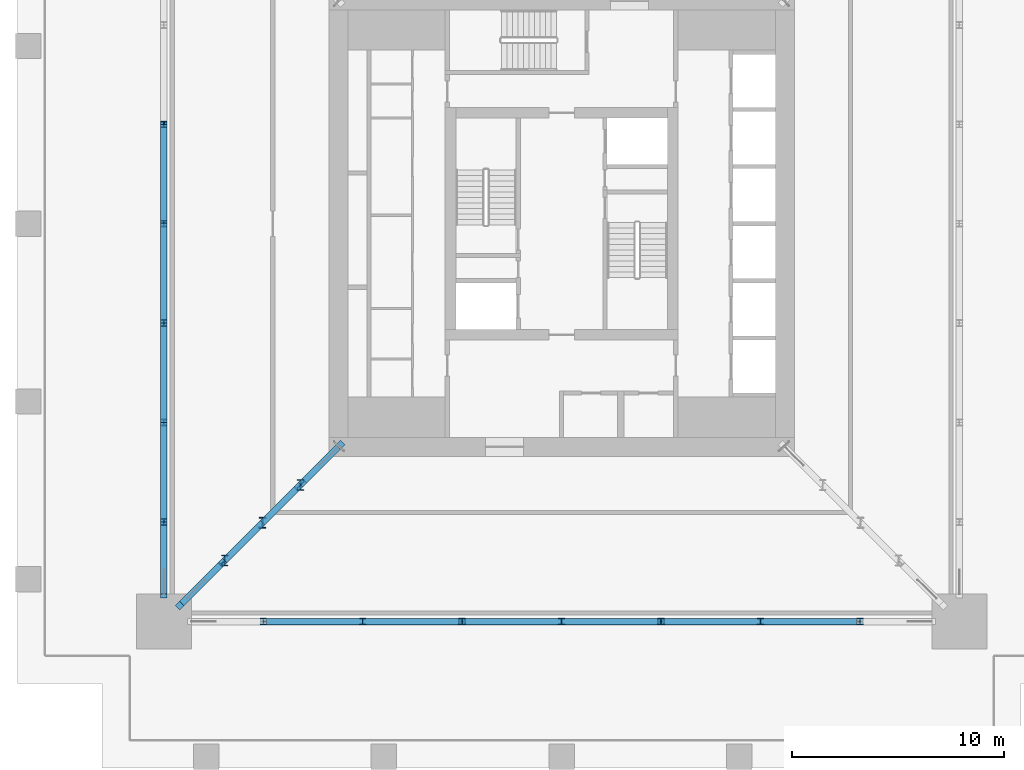
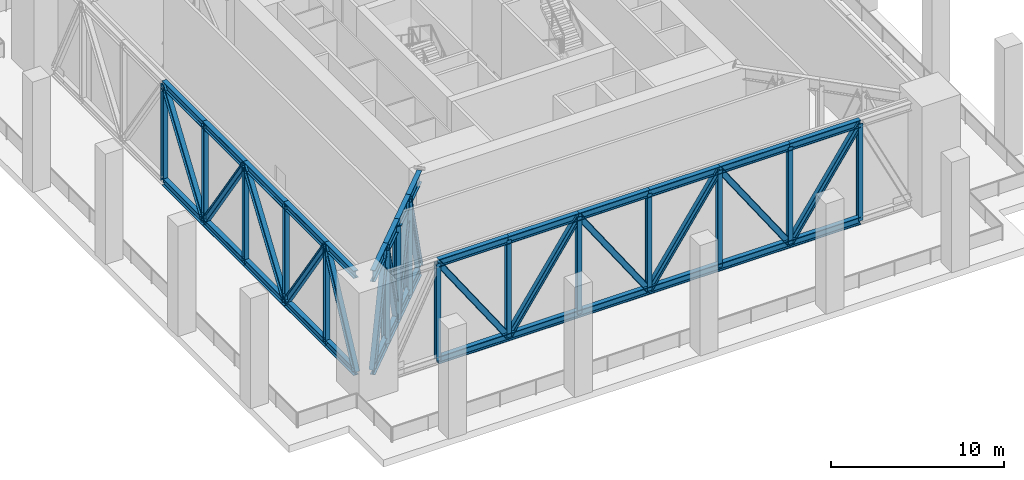
# One storey, part 2 of 17: 60 members.
"""IFC4 building model written with IfcOpenShell, lengths in metres."""

from ifc_helpers import new_model, si_unit, direction, frame, origin, origin_2d, place, context, subcontext, project, spatial, i_section, extrude, material, material_profile, profile_set, type_object, element, save


model = new_model("IFC4")

# Units and contexts
model_context = context("Model", 3, precision=1e-05, world=origin(), true_north=direction((0.0, 1.0)))
body_context = subcontext(model_context, "Body", "Model", "MODEL_VIEW")
ifc_project = project(units=[si_unit("LENGTHUNIT", "METRE"), si_unit("AREAUNIT", "SQUARE_METRE"), si_unit("VOLUMEUNIT", "CUBIC_METRE"), si_unit("PLANEANGLEUNIT", "RADIAN"), si_unit("MASSUNIT", "GRAM", prefix="KILO")], contexts=[model_context])

# Site, building, storey
site_placement = place(None, origin())
site = spatial("IfcSite", under=ifc_project, at=site_placement, CompositionType="ELEMENT")
building_placement = place(site_placement, origin())
building = spatial("IfcBuilding", under=site, at=building_placement, Name="Khepri Terraces", CompositionType="ELEMENT")
storey_placement = place(building_placement, frame((0.0, 0.0, 180.60009765625)))
storey = spatial("IfcBuildingStorey", under=building, at=storey_placement, Name="L43", CompositionType="ELEMENT", Elevation=180.60009765625)

# Members
ifc_material = material(Name="Steel S355", Category="steel")
ifc_material_profile_1 = material_profile(ifc_material, i_section(OverallWidth=0.305908203125, OverallDepth=0.52392578125, WebThickness=0.02099609375, FlangeThickness=0.0400390625, FilletRadius=0.027099609375, at=origin_2d()), Name="Steel S355", Category="steel")
ifc_profile_set_1 = profile_set([ifc_material_profile_1], Name="Steel S355")
member_type_1 = type_object("IfcMemberType", Name="Belt truss chord HEM 500", PredefinedType="CHORD", material=ifc_profile_set_1)
for number, where, z_axis, x_axis, name in (
    (1, (-14.10009765625, -18.800048828125, 0.261962890625), (1.0, 0.0, 0.0), (0.0, 1.0, 0.0), "Belt truss chord BT-43-S bottom 2"),
    (2, (-14.10009765625, -18.800048828125, 7.117919921875), (1.0, 0.0, 0.0), (0.0, 1.0, 0.0), "Belt truss chord BT-43-S top 2"),
):
    element("IfcMember", number, at=place(storey_placement, frame(where, z_axis=z_axis, x_axis=x_axis)), inside=storey, type_object=member_type_1, Name=name, PredefinedType="CHORD", context=body_context, shape_type="SweptSolid", body=[
        extrude(i_section(OverallWidth=0.305908203125, OverallDepth=0.52392578125, WebThickness=0.02099609375, FlangeThickness=0.0400390625, FilletRadius=0.027099609375, at=origin_2d()), origin(), (0.0, 0.0, 1.0), 4.7001953125),
    ])
for number, where, z_axis, x_axis, name in (
    (3, (-9.39990234375, -18.800048828125, 0.261962890625), (1.0, 0.0, 0.0), (0.0, 1.0, 0.0), "Belt truss chord BT-43-S bottom 3"),
    (4, (-9.39990234375, -18.800048828125, 7.117919921875), (1.0, 0.0, 0.0), (0.0, 1.0, 0.0), "Belt truss chord BT-43-S top 3"),
    (5, (-4.699951171875, -18.800048828125, 0.261962890625), (1.0, 0.0, 0.0), (0.0, 1.0, 0.0), "Belt truss chord BT-43-S bottom 4"),
    (6, (-4.699951171875, -18.800048828125, 7.117919921875), (1.0, 0.0, 0.0), (0.0, 1.0, 0.0), "Belt truss chord BT-43-S top 4"),
    (7, (0.0, -18.800048828125, 0.261962890625), (1.0, 0.0, 0.0), (0.0, 1.0, 0.0), "Belt truss chord BT-43-S bottom 5"),
    (8, (0.0, -18.800048828125, 7.117919921875), (1.0, 0.0, 0.0), (0.0, 1.0, 0.0), "Belt truss chord BT-43-S top 5"),
    (9, (4.699951171875, -18.800048828125, 0.261962890625), (1.0, 0.0, 0.0), (0.0, 1.0, 0.0), "Belt truss chord BT-43-S bottom 6"),
    (10, (4.699951171875, -18.800048828125, 7.117919921875), (1.0, 0.0, 0.0), (0.0, 1.0, 0.0), "Belt truss chord BT-43-S top 6"),
):
    element("IfcMember", number, at=place(storey_placement, frame(where, z_axis=z_axis, x_axis=x_axis)), inside=storey, type_object=member_type_1, Name=name, PredefinedType="CHORD", context=body_context, shape_type="SweptSolid", body=[
        extrude(i_section(OverallWidth=0.305908203125, OverallDepth=0.52392578125, WebThickness=0.02099609375, FlangeThickness=0.0400390625, FilletRadius=0.027099609375, at=origin_2d()), origin(), (0.0, 0.0, 1.0), 4.699951171875),
    ])
for number, where, z_axis, x_axis, name in (
    (11, (9.39990234375, -18.800048828125, 0.261962890625), (1.0, 0.0, 0.0), (0.0, 1.0, 0.0), "Belt truss chord BT-43-S bottom 7"),
    (12, (9.39990234375, -18.800048828125, 7.117919921875), (1.0, 0.0, 0.0), (0.0, 1.0, 0.0), "Belt truss chord BT-43-S top 7"),
):
    element("IfcMember", number, at=place(storey_placement, frame(where, z_axis=z_axis, x_axis=x_axis)), inside=storey, type_object=member_type_1, Name=name, PredefinedType="CHORD", context=body_context, shape_type="SweptSolid", body=[
        extrude(i_section(OverallWidth=0.305908203125, OverallDepth=0.52392578125, WebThickness=0.02099609375, FlangeThickness=0.0400390625, FilletRadius=0.027099609375, at=origin_2d()), origin(), (0.0, 0.0, 1.0), 4.7001953125),
    ])
for number, where, z_axis, x_axis, name in (
    (13, (-18.800048828125, 4.699951171875, 0.261962890625), (0.0, -1.0, 0.0), (1.0, 0.0, 0.0), "Belt truss chord BT-43-W bottom 4"),
    (14, (-18.800048828125, 4.699951171875, 7.117919921875), (0.0, -1.0, 0.0), (1.0, 0.0, 0.0), "Belt truss chord BT-43-W top 4"),
    (15, (-18.800048828125, 0.0, 0.261962890625), (0.0, -1.0, 0.0), (1.0, 0.0, 0.0), "Belt truss chord BT-43-W bottom 5"),
    (16, (-18.800048828125, 0.0, 7.117919921875), (0.0, -1.0, 0.0), (1.0, 0.0, 0.0), "Belt truss chord BT-43-W top 5"),
    (17, (-18.800048828125, -4.699951171875, 0.261962890625), (0.0, -1.0, 0.0), (1.0, 0.0, 0.0), "Belt truss chord BT-43-W bottom 6"),
    (18, (-18.800048828125, -4.699951171875, 7.117919921875), (0.0, -1.0, 0.0), (1.0, 0.0, 0.0), "Belt truss chord BT-43-W top 6"),
):
    element("IfcMember", number, at=place(storey_placement, frame(where, z_axis=z_axis, x_axis=x_axis)), inside=storey, type_object=member_type_1, Name=name, PredefinedType="CHORD", context=body_context, shape_type="SweptSolid", body=[
        extrude(i_section(OverallWidth=0.305908203125, OverallDepth=0.52392578125, WebThickness=0.02099609375, FlangeThickness=0.0400390625, FilletRadius=0.027099609375, at=origin_2d()), origin(), (0.0, 0.0, 1.0), 4.699951171875),
    ])
for number, where, z_axis, x_axis, name in (
    (19, (-18.800048828125, -9.39990234375, 0.261962890625), (0.0, -1.0, 0.0), (1.0, 0.0, 0.0), "Belt truss chord BT-43-W bottom 7"),
    (20, (-18.800048828125, -9.39990234375, 7.117919921875), (0.0, -1.0, 0.0), (1.0, 0.0, 0.0), "Belt truss chord BT-43-W top 7"),
):
    element("IfcMember", number, at=place(storey_placement, frame(where, z_axis=z_axis, x_axis=x_axis)), inside=storey, type_object=member_type_1, Name=name, PredefinedType="CHORD", context=body_context, shape_type="SweptSolid", body=[
        extrude(i_section(OverallWidth=0.305908203125, OverallDepth=0.52392578125, WebThickness=0.02099609375, FlangeThickness=0.0400390625, FilletRadius=0.027099609375, at=origin_2d()), origin(), (0.0, 0.0, 1.0), 4.7001953125),
    ])
for number, where, z_axis, x_axis, name in (
    (21, (-18.800048828125, -14.10009765625, 0.261962890625), (0.0, -1.0, 0.0), (1.0, 0.0, 0.0), "Belt truss chord BT-43-W bottom 8"),
    (22, (-18.800048828125, -14.10009765625, 7.117919921875), (0.0, -1.0, 0.0), (1.0, 0.0, 0.0), "Belt truss chord BT-43-W top 8"),
):
    element("IfcMember", number, at=place(storey_placement, frame(where, z_axis=z_axis, x_axis=x_axis)), inside=storey, type_object=member_type_1, Name=name, PredefinedType="CHORD", context=body_context, shape_type="SweptSolid", body=[
        extrude(i_section(OverallWidth=0.305908203125, OverallDepth=0.52392578125, WebThickness=0.02099609375, FlangeThickness=0.0400390625, FilletRadius=0.027099609375, at=origin_2d()), origin(), (0.0, 0.0, 1.0), 3.39990234375),
    ])
ifc_material_profile_2 = material_profile(ifc_material, i_section(OverallWidth=0.300048828125, OverallDepth=0.39990234375, WebThickness=0.013427734375, FlangeThickness=0.02392578125, FilletRadius=0.027099609375, at=origin_2d()), Name="Steel S355", Category="steel")
ifc_profile_set_2 = profile_set([ifc_material_profile_2], Name="Steel S355")
member_type_2 = type_object("IfcMemberType", Name="Belt truss diagonal HEB 400", PredefinedType="BRACE", material=ifc_profile_set_2)
member_1_placement = place(storey_placement, frame((-14.10009765625, -18.800048828125, 7.117919921875), z_axis=(0.565443877293, 0.0, -0.824786773434), x_axis=(0.0, 1.0, 0.0)))
element("IfcMember", 23, at=member_1_placement, inside=storey, type_object=member_type_2, Name="Belt truss diagonal BT-43-S 2", PredefinedType="BRACE", context=body_context, shape_type="SweptSolid", body=[
    extrude(i_section(OverallWidth=0.300048828125, OverallDepth=0.39990234375, WebThickness=0.013427734375, FlangeThickness=0.02392578125, FilletRadius=0.027099609375, at=origin_2d()), origin(), (0.0, 0.0, 1.0), 8.3125),
])
for number, where, z_axis, x_axis, name in (
    (24, (-9.39990234375, -18.800048828125, 0.261962890625), (0.565423896724, 0.0, 0.824800471031), (0.0, 1.0, 0.0), "Belt truss diagonal BT-43-S 3"),
    (25, (-4.699951171875, -18.800048828125, 7.117919921875), (0.565423896724, 0.0, -0.824800471031), (0.0, 1.0, 0.0), "Belt truss diagonal BT-43-S 4"),
    (26, (0.0, -18.800048828125, 0.261962890625), (0.565423896724, 0.0, 0.824800471031), (0.0, 1.0, 0.0), "Belt truss diagonal BT-43-S 5"),
    (27, (4.699951171875, -18.800048828125, 7.117919921875), (0.565423896724, 0.0, -0.824800471031), (0.0, 1.0, 0.0), "Belt truss diagonal BT-43-S 6"),
):
    element("IfcMember", number, at=place(storey_placement, frame(where, z_axis=z_axis, x_axis=x_axis)), inside=storey, type_object=member_type_2, Name=name, PredefinedType="BRACE", context=body_context, shape_type="SweptSolid", body=[
        extrude(i_section(OverallWidth=0.300048828125, OverallDepth=0.39990234375, WebThickness=0.013427734375, FlangeThickness=0.02392578125, FilletRadius=0.027099609375, at=origin_2d()), origin(), (0.0, 0.0, 1.0), 8.312255859375),
    ])
member_2_placement = place(storey_placement, frame((9.39990234375, -18.800048828125, 0.261962890625), z_axis=(0.565443877293, 0.0, 0.824786773434), x_axis=(0.0, 1.0, 0.0)))
element("IfcMember", 28, at=member_2_placement, inside=storey, type_object=member_type_2, Name="Belt truss diagonal BT-43-S 7", PredefinedType="BRACE", context=body_context, shape_type="SweptSolid", body=[
    extrude(i_section(OverallWidth=0.300048828125, OverallDepth=0.39990234375, WebThickness=0.013427734375, FlangeThickness=0.02392578125, FilletRadius=0.027099609375, at=origin_2d()), origin(), (0.0, 0.0, 1.0), 8.3125),
])
for number, where, z_axis, x_axis, name in (
    (29, (-18.800048828125, 4.699951171875, 7.117919921875), (0.0, -0.565423896724, -0.824800471031), (1.0, 0.0, 0.0), "Belt truss diagonal BT-43-W 4"),
    (30, (-18.800048828125, 0.0, 0.261962890625), (0.0, -0.565423896724, 0.824800471031), (1.0, 0.0, 0.0), "Belt truss diagonal BT-43-W 5"),
    (31, (-18.800048828125, -4.699951171875, 7.117919921875), (0.0, -0.565423896724, -0.824800471031), (1.0, 0.0, 0.0), "Belt truss diagonal BT-43-W 6"),
):
    element("IfcMember", number, at=place(storey_placement, frame(where, z_axis=z_axis, x_axis=x_axis)), inside=storey, type_object=member_type_2, Name=name, PredefinedType="BRACE", context=body_context, shape_type="SweptSolid", body=[
        extrude(i_section(OverallWidth=0.300048828125, OverallDepth=0.39990234375, WebThickness=0.013427734375, FlangeThickness=0.02392578125, FilletRadius=0.027099609375, at=origin_2d()), origin(), (0.0, 0.0, 1.0), 8.312255859375),
    ])
member_3_placement = place(storey_placement, frame((-18.800048828125, -9.39990234375, 0.261962890625), z_axis=(0.0, -0.565443877293, 0.824786773434), x_axis=(1.0, 0.0, 0.0)))
element("IfcMember", 32, at=member_3_placement, inside=storey, type_object=member_type_2, Name="Belt truss diagonal BT-43-W 7", PredefinedType="BRACE", context=body_context, shape_type="SweptSolid", body=[
    extrude(i_section(OverallWidth=0.300048828125, OverallDepth=0.39990234375, WebThickness=0.013427734375, FlangeThickness=0.02392578125, FilletRadius=0.027099609375, at=origin_2d()), origin(), (0.0, 0.0, 1.0), 8.3125),
])
member_4_placement = place(storey_placement, frame((-18.800048828125, -14.10009765625, 7.117919921875), z_axis=(0.0, -0.444276144924, -0.895889896723), x_axis=(1.0, 0.0, 0.0)))
element("IfcMember", 33, at=member_4_placement, inside=storey, type_object=member_type_2, Name="Belt truss diagonal BT-43-W 8", PredefinedType="BRACE", context=body_context, shape_type="SweptSolid", body=[
    extrude(i_section(OverallWidth=0.300048828125, OverallDepth=0.39990234375, WebThickness=0.013427734375, FlangeThickness=0.02392578125, FilletRadius=0.027099609375, at=origin_2d()), origin(), (0.0, 0.0, 1.0), 7.652587890625),
])
ifc_material_profile_3 = material_profile(ifc_material, i_section(OverallWidth=0.300048828125, OverallDepth=0.300048828125, WebThickness=0.010986328125, FlangeThickness=0.01904296875, FilletRadius=0.027099609375, at=origin_2d()), Name="Steel S355", Category="steel")
ifc_profile_set_3 = profile_set([ifc_material_profile_3], Name="Steel S355")
member_type_3 = type_object("IfcMemberType", Name="Belt truss post HEB 300", PredefinedType="POST", material=ifc_profile_set_3)
for number, where, z_axis, x_axis, name in (
    (34, (-14.10009765625, -18.800048828125, 0.261962890625), (0.0, 0.0, 1.0), (1.0, 0.0, 0.0), "Belt truss post BT-43-S 1"),
    (35, (-9.39990234375, -18.800048828125, 0.261962890625), (0.0, 0.0, 1.0), (1.0, 0.0, 0.0), "Belt truss post BT-43-S 2"),
    (36, (-4.699951171875, -18.800048828125, 0.261962890625), (0.0, 0.0, 1.0), (1.0, 0.0, 0.0), "Belt truss post BT-43-S 3"),
    (37, (0.0, -18.800048828125, 0.261962890625), (0.0, 0.0, 1.0), (1.0, 0.0, 0.0), "Belt truss post BT-43-S 4"),
    (38, (4.699951171875, -18.800048828125, 0.261962890625), (0.0, 0.0, 1.0), (1.0, 0.0, 0.0), "Belt truss post BT-43-S 5"),
    (39, (9.39990234375, -18.800048828125, 0.261962890625), (0.0, 0.0, 1.0), (1.0, 0.0, 0.0), "Belt truss post BT-43-S 6"),
    (40, (14.10009765625, -18.800048828125, 0.261962890625), (0.0, 0.0, 1.0), (1.0, 0.0, 0.0), "Belt truss post BT-43-S 7"),
    (41, (-18.800048828125, 4.699951171875, 0.261962890625), (0.0, 0.0, 1.0), (1.0, 0.0, 0.0), "Belt truss post BT-43-W 3"),
    (42, (-18.800048828125, 0.0, 0.261962890625), (0.0, 0.0, 1.0), (1.0, 0.0, 0.0), "Belt truss post BT-43-W 4"),
    (43, (-18.800048828125, -4.699951171875, 0.261962890625), (0.0, 0.0, 1.0), (1.0, 0.0, 0.0), "Belt truss post BT-43-W 5"),
    (44, (-18.800048828125, -9.39990234375, 0.261962890625), (0.0, 0.0, 1.0), (1.0, 0.0, 0.0), "Belt truss post BT-43-W 6"),
    (45, (-18.800048828125, -14.10009765625, 0.261962890625), (0.0, 0.0, 1.0), (1.0, 0.0, 0.0), "Belt truss post BT-43-W 7"),
):
    element("IfcMember", number, at=place(storey_placement, frame(where, z_axis=z_axis, x_axis=x_axis)), inside=storey, type_object=member_type_3, Name=name, PredefinedType="POST", context=body_context, shape_type="SweptSolid", body=[
        extrude(i_section(OverallWidth=0.300048828125, OverallDepth=0.300048828125, WebThickness=0.010986328125, FlangeThickness=0.01904296875, FilletRadius=0.027099609375, at=origin_2d()), origin(), (0.0, 0.0, 1.0), 6.85595703125),
    ])
ifc_material_profile_4 = material_profile(ifc_material, i_section(OverallWidth=0.302978515625, OverallDepth=0.81396484375, WebThickness=0.02099609375, FlangeThickness=0.0400390625, FilletRadius=0.030029296875, at=origin_2d()), Name="Steel S355", Category="steel")
ifc_profile_set_4 = profile_set([ifc_material_profile_4], Name="Steel S355")
member_type_4 = type_object("IfcMemberType", Name="Outrigger chord HEM 800", PredefinedType="CHORD", material=ifc_profile_set_4)
for number, where, z_axis, x_axis, name in (
    (46, (-10.550048828125, -10.550048828125, 0.406982421875), (-0.707106781187, -0.707106781187, 0.0), (0.707106781187, -0.707106781187, 0.0), "Outrigger chord OT-43-WS bottom 1"),
    (47, (-10.550048828125, -10.550048828125, 6.972900390625), (-0.707106781187, -0.707106781187, 0.0), (0.707106781187, -0.707106781187, 0.0), "Outrigger chord OT-43-WS top 1"),
    (48, (-12.340576171875, -12.340576171875, 0.406982421875), (-0.707106781187, -0.707106781187, 0.0), (0.707106781187, -0.707106781187, 0.0), "Outrigger chord OT-43-WS bottom 2"),
    (49, (-12.340576171875, -12.340576171875, 6.972900390625), (-0.707106781187, -0.707106781187, 0.0), (0.707106781187, -0.707106781187, 0.0), "Outrigger chord OT-43-WS top 2"),
    (50, (-14.131103515625, -14.131103515625, 0.406982421875), (-0.707106781187, -0.707106781187, 0.0), (0.707106781187, -0.707106781187, 0.0), "Outrigger chord OT-43-WS bottom 3"),
    (51, (-14.131103515625, -14.131103515625, 6.972900390625), (-0.707106781187, -0.707106781187, 0.0), (0.707106781187, -0.707106781187, 0.0), "Outrigger chord OT-43-WS top 3"),
):
    element("IfcMember", number, at=place(storey_placement, frame(where, z_axis=z_axis, x_axis=x_axis)), inside=storey, type_object=member_type_4, Name=name, PredefinedType="CHORD", context=body_context, shape_type="SweptSolid", body=[
        extrude(i_section(OverallWidth=0.302978515625, OverallDepth=0.81396484375, WebThickness=0.02099609375, FlangeThickness=0.0400390625, FilletRadius=0.030029296875, at=origin_2d()), origin(), (0.0, 0.0, 1.0), 2.5322265625),
    ])
for number, where, z_axis, x_axis, name in (
    (52, (-15.921630859375, -15.921630859375, 0.406982421875), (-0.707106781187, -0.707106781187, 0.0), (0.707106781187, -0.707106781187, 0.0), "Outrigger chord OT-43-WS bottom 4"),
    (53, (-15.921630859375, -15.921630859375, 6.972900390625), (-0.707106781187, -0.707106781187, 0.0), (0.707106781187, -0.707106781187, 0.0), "Outrigger chord OT-43-WS top 4"),
):
    element("IfcMember", number, at=place(storey_placement, frame(where, z_axis=z_axis, x_axis=x_axis)), inside=storey, type_object=member_type_4, Name=name, PredefinedType="CHORD", context=body_context, shape_type="SweptSolid", body=[
        extrude(i_section(OverallWidth=0.302978515625, OverallDepth=0.81396484375, WebThickness=0.02099609375, FlangeThickness=0.0400390625, FilletRadius=0.030029296875, at=origin_2d()), origin(), (0.0, 0.0, 1.0), 2.87060546875),
    ])
ifc_material_profile_5 = material_profile(ifc_material, i_section(OverallWidth=0.304931640625, OverallDepth=0.6201171875, WebThickness=0.02099609375, FlangeThickness=0.0400390625, FilletRadius=0.027099609375, at=origin_2d()), Name="Steel S355", Category="steel")
ifc_profile_set_5 = profile_set([ifc_material_profile_5], Name="Steel S355")
member_type_5 = type_object("IfcMemberType", Name="Outrigger diagonal HEM 600", PredefinedType="BRACE", material=ifc_profile_set_5)
for number, where, z_axis, x_axis, name in (
    (54, (-10.550048828125, -10.550048828125, 0.406982421875), (-0.254434715173, -0.254434715173, 0.933019802271), (0.707106781187, -0.707106781187, 0.0), "Outrigger diagonal OT-43-WS 1"),
    (55, (-12.340576171875, -12.340576171875, 6.972900390625), (-0.254434715173, -0.254434715173, -0.933019802271), (0.707106781187, -0.707106781187, 0.0), "Outrigger diagonal OT-43-WS 2"),
    (56, (-14.131103515625, -14.131103515625, 0.406982421875), (-0.254434715173, -0.254434715173, 0.933019802271), (0.707106781187, -0.707106781187, 0.0), "Outrigger diagonal OT-43-WS 3"),
):
    element("IfcMember", number, at=place(storey_placement, frame(where, z_axis=z_axis, x_axis=x_axis)), inside=storey, type_object=member_type_5, Name=name, PredefinedType="BRACE", context=body_context, shape_type="SweptSolid", body=[
        extrude(i_section(OverallWidth=0.304931640625, OverallDepth=0.6201171875, WebThickness=0.02099609375, FlangeThickness=0.0400390625, FilletRadius=0.027099609375, at=origin_2d()), origin(), (0.0, 0.0, 1.0), 7.037353515625),
    ])
member_5_placement = place(storey_placement, frame((-15.921630859375, -15.921630859375, 6.972900390625), z_axis=(-0.283252796148, -0.283252796148, -0.916261811355), x_axis=(0.707106781187, -0.707106781187, 0.0)))
element("IfcMember", 57, at=member_5_placement, inside=storey, type_object=member_type_5, Name="Outrigger diagonal OT-43-WS 4", PredefinedType="BRACE", context=body_context, shape_type="SweptSolid", body=[
    extrude(i_section(OverallWidth=0.304931640625, OverallDepth=0.6201171875, WebThickness=0.02099609375, FlangeThickness=0.0400390625, FilletRadius=0.027099609375, at=origin_2d()), origin(), (0.0, 0.0, 1.0), 7.166015625),
])
ifc_material_profile_6 = material_profile(ifc_material, i_section(OverallWidth=0.300048828125, OverallDepth=0.5, WebThickness=0.014404296875, FlangeThickness=0.028076171875, FilletRadius=0.027099609375, at=origin_2d()), Name="Steel S355", Category="steel")
ifc_profile_set_6 = profile_set([ifc_material_profile_6], Name="Steel S355")
member_type_6 = type_object("IfcMemberType", Name="Outrigger post HEB 500", PredefinedType="POST", material=ifc_profile_set_6)
for number, where, z_axis, x_axis, name in (
    (58, (-12.340576171875, -12.340576171875, 0.406982421875), (0.0, 0.0, 1.0), (1.0, 0.0, 0.0), "Outrigger post OT-43-WS 1"),
    (59, (-14.131103515625, -14.131103515625, 0.406982421875), (0.0, 0.0, 1.0), (1.0, 0.0, 0.0), "Outrigger post OT-43-WS 2"),
    (60, (-15.921630859375, -15.921630859375, 0.406982421875), (0.0, 0.0, 1.0), (1.0, 0.0, 0.0), "Outrigger post OT-43-WS 3"),
):
    element("IfcMember", number, at=place(storey_placement, frame(where, z_axis=z_axis, x_axis=x_axis)), inside=storey, type_object=member_type_6, Name=name, PredefinedType="POST", context=body_context, shape_type="SweptSolid", body=[
        extrude(i_section(OverallWidth=0.300048828125, OverallDepth=0.5, WebThickness=0.014404296875, FlangeThickness=0.028076171875, FilletRadius=0.027099609375, at=origin_2d()), origin(), (0.0, 0.0, 1.0), 6.56591796875),
    ])

save(model, "model.ifc")
